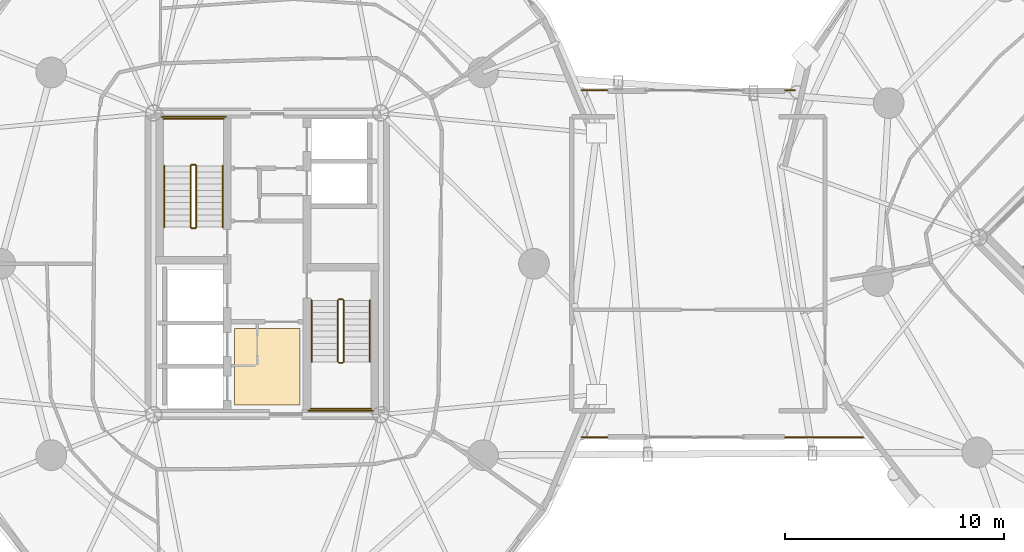
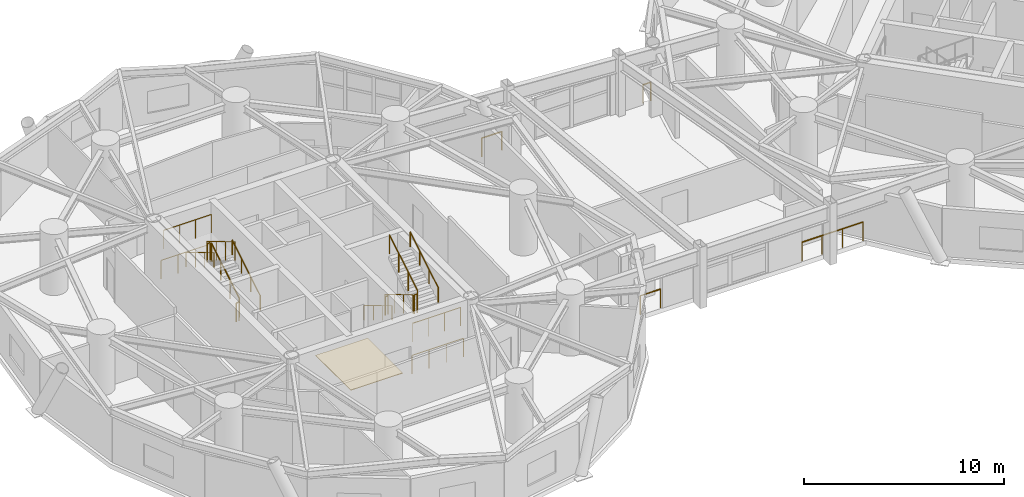
# One storey, part 19 of 20: 20 railings, 1 covering.
"""IFC4 building model written with IfcOpenShell, lengths in metres."""

from ifc_helpers import new_model, si_unit, direction, frame, origin, origin_2d, place, context, subcontext, project, spatial, polyline, circle, outline, extrude, material, layer, layer_set, type_object, element, save


model = new_model("IFC4")

# Units and contexts
model_context = context("Model", 3, precision=1e-05, world=origin(), true_north=direction((0.0, 1.0)))
body_context = subcontext(model_context, "Body", "Model", "MODEL_VIEW")
ifc_project = project(units=[si_unit("LENGTHUNIT", "METRE"), si_unit("AREAUNIT", "SQUARE_METRE"), si_unit("VOLUMEUNIT", "CUBIC_METRE"), si_unit("PLANEANGLEUNIT", "RADIAN"), si_unit("MASSUNIT", "GRAM", prefix="KILO")], contexts=[model_context])

# Site, building, storey
site_placement = place(None, origin())
site = spatial("IfcSite", under=ifc_project, at=site_placement, CompositionType="ELEMENT")
building_placement = place(site_placement, origin())
building = spatial("IfcBuilding", under=site, at=building_placement, Name="Cununo Teusaquillo Station Towers", CompositionType="ELEMENT")
storey_placement = place(building_placement, frame((0.0, 0.0, 129.159912109375)))
storey = spatial("IfcBuildingStorey", under=building, at=storey_placement, Name="L41", CompositionType="ELEMENT", Elevation=129.159912109375)

# Covering
ifc_material_1 = material(Name="Polished basalt-chip terrazzo floor finish", Category="masonry")
ifc_layer = layer(ifc_material_1, 0.034912109375)
ifc_layer_set = layer_set([ifc_layer], Name="Polished basalt-chip terrazzo floor finish")
covering_type = type_object("IfcCoveringType", Name="COV-FLR-TERR", PredefinedType="FLOORING", material=ifc_layer_set)
covering_placement = place(storey_placement, origin())
element("IfcCovering", 1, at=covering_placement, inside=storey, type_object=covering_type, Name="L41 Polished Terrazzo Floor Finish", PredefinedType="FLOORING", context=body_context, shape_type="SweptSolid", body=[
    extrude(outline(polyline([(15.0, 18.050048828125), (18.0, 18.050048828125), (18.0, 21.550048828125), (15.0, 21.550048828125), (15.0, 18.050048828125)])), origin(), (0.0, 0.0, 1.0), 0.03515625),
])

# Railings
ifc_material_2 = material(Name="Steel EN 10025-2 S355J2", Category="steel")
railing_type_1 = type_object("IfcRailingType", Name="RL-INT-GUARD", PredefinedType="GUARDRAIL", material=ifc_material_2)
railing_1_placement = place(storey_placement, frame((13.27001953125, 26.169921875, 0.169189453125)))
element("IfcRailing", 2, at=railing_1_placement, inside=storey, type_object=railing_type_1, Name="L41 ST-T1-1 stair guard 1", PredefinedType="GUARDRAIL", context=body_context, shape_type="SweptSolid", body=[
    extrude(circle(Radius=0.02392578125, at=origin_2d()), frame((0.0, 0.0, 1.1259765625), z_axis=(0.0, 0.856020824003, 0.516941339877), x_axis=(-1.0, 0.0, 0.0)), (0.0, 0.0, 1.0), 3.27099609375),
    extrude(circle(Radius=0.02099609375, at=origin_2d()), origin(), (0.0, 0.0, 1.0), 1.101806640625),
    extrude(circle(Radius=0.02099609375, at=origin_2d()), frame((0.0, 0.933349609375, 0.563720703125)), (0.0, 0.0, 1.0), 1.101806640625),
    extrude(circle(Radius=0.02099609375, at=origin_2d()), frame((0.0, 1.86669921875, 1.127197265625)), (0.0, 0.0, 1.0), 1.101806640625),
    extrude(circle(Radius=0.02099609375, at=origin_2d()), frame((0.0, 2.800048828125, 1.69091796875)), (0.0, 0.0, 1.0), 1.101806640625),
])
railing_2_placement = place(storey_placement, frame((13.219970703125, 29.02001953125, 1.860107421875)))
element("IfcRailing", 3, at=railing_2_placement, inside=storey, type_object=railing_type_1, Name="L41 ST-T1-1 stair guard 2", PredefinedType="GUARDRAIL", context=body_context, shape_type="SweptSolid", body=[
    extrude(circle(Radius=0.02392578125, at=origin_2d()), frame((0.0, 0.0, 1.1259765625), z_axis=(-1.0, 0.0, 0.0), x_axis=(0.0, -1.0, 0.0)), (0.0, 0.0, 1.0), 0.159912109375),
    extrude(circle(Radius=0.02099609375, at=origin_2d()), origin(), (0.0, 0.0, 1.0), 1.101806640625),
    extrude(circle(Radius=0.02099609375, at=origin_2d()), frame((-0.159912109375, 0.0, 0.0)), (0.0, 0.0, 1.0), 1.101806640625),
])
railing_3_placement = place(storey_placement, frame((14.52001953125, 31.110107421875, 1.860107421875)))
element("IfcRailing", 4, at=railing_3_placement, inside=storey, type_object=railing_type_1, Name="L41 ST-T1-1 stair guard 3", PredefinedType="GUARDRAIL", context=body_context, shape_type="SweptSolid", body=[
    extrude(circle(Radius=0.02392578125, at=origin_2d()), frame((0.0, 0.0, 1.1259765625), z_axis=(-1.0, 0.0, 0.0), x_axis=(0.0, -1.0, 0.0)), (0.0, 0.0, 1.0), 2.760009765625),
    extrude(circle(Radius=0.02099609375, at=origin_2d()), origin(), (0.0, 0.0, 1.0), 1.101806640625),
    extrude(circle(Radius=0.02099609375, at=origin_2d()), frame((-0.919921875, 0.0, 0.0)), (0.0, 0.0, 1.0), 1.101806640625),
    extrude(circle(Radius=0.02099609375, at=origin_2d()), frame((-1.840087890625, 0.0, 0.0)), (0.0, 0.0, 1.0), 1.101806640625),
    extrude(circle(Radius=0.02099609375, at=origin_2d()), frame((-2.760009765625, 0.0, 0.0)), (0.0, 0.0, 1.0), 1.101806640625),
])
railing_4_placement = place(storey_placement, frame((13.010009765625, 28.969970703125, 2.029296875)))
element("IfcRailing", 5, at=railing_4_placement, inside=storey, type_object=railing_type_1, Name="L41 ST-T1-1 stair guard 4", PredefinedType="GUARDRAIL", context=body_context, shape_type="SweptSolid", body=[
    extrude(circle(Radius=0.02392578125, at=origin_2d()), frame((0.0, 0.0, 1.1259765625), z_axis=(0.0, -0.856053851689, 0.516886644254), x_axis=(1.0, 0.0, 0.0)), (0.0, 0.0, 1.0), 3.27099609375),
    extrude(circle(Radius=0.02099609375, at=origin_2d()), origin(), (0.0, 0.0, 1.0), 1.101806640625),
    extrude(circle(Radius=0.02099609375, at=origin_2d()), frame((0.0, -0.933349609375, 0.5634765625)), (0.0, 0.0, 1.0), 1.101806640625),
    extrude(circle(Radius=0.02099609375, at=origin_2d()), frame((0.0, -1.86669921875, 1.127197265625)), (0.0, 0.0, 1.0), 1.101806640625),
    extrude(circle(Radius=0.02099609375, at=origin_2d()), frame((0.0, -2.800048828125, 1.690673828125)), (0.0, 0.0, 1.0), 1.101806640625),
])
railing_5_placement = place(storey_placement, frame((13.219970703125, 26.1201171875, 0.0)))
element("IfcRailing", 6, at=railing_5_placement, inside=storey, type_object=railing_type_1, Name="L41 ST-T1-1 stair guard 5", PredefinedType="GUARDRAIL", context=body_context, shape_type="SweptSolid", body=[
    extrude(circle(Radius=0.02392578125, at=origin_2d()), frame((0.0, 0.0, 1.1259765625), z_axis=(-1.0, 0.0, 0.0), x_axis=(0.0, -1.0, 0.0)), (0.0, 0.0, 1.0), 0.159912109375),
    extrude(circle(Radius=0.02099609375, at=origin_2d()), origin(), (0.0, 0.0, 1.0), 1.101806640625),
    extrude(circle(Radius=0.02099609375, at=origin_2d()), frame((-0.159912109375, 0.0, 0.0)), (0.0, 0.0, 1.0), 1.101806640625),
])
railing_6_placement = place(storey_placement, frame((14.6201171875, 31.2099609375, 0.0)))
element("IfcRailing", 7, at=railing_6_placement, inside=storey, type_object=railing_type_1, Name="L41 ST-T1-1 stair guard 6", PredefinedType="GUARDRAIL", context=body_context, shape_type="SweptSolid", body=[
    extrude(circle(Radius=0.02392578125, at=origin_2d()), frame((0.0, 0.0, 1.1259765625), z_axis=(-1.0, 0.0, 0.0), x_axis=(0.0, -1.0, 0.0)), (0.0, 0.0, 1.0), 2.960205078125),
    extrude(circle(Radius=0.02099609375, at=origin_2d()), origin(), (0.0, 0.0, 1.0), 1.101806640625),
    extrude(circle(Radius=0.02099609375, at=origin_2d()), frame((-0.98681640625, 0.0, 0.0)), (0.0, 0.0, 1.0), 1.101806640625),
    extrude(circle(Radius=0.02099609375, at=origin_2d()), frame((-1.973388671875, 0.0, 0.0)), (0.0, 0.0, 1.0), 1.101806640625),
    extrude(circle(Radius=0.02099609375, at=origin_2d()), frame((-2.960205078125, 0.0, 0.0)), (0.0, 0.0, 1.0), 1.101806640625),
])
railing_7_placement = place(storey_placement, frame((19.72998046875, 22.830078125, 0.169189453125)))
element("IfcRailing", 8, at=railing_7_placement, inside=storey, type_object=railing_type_1, Name="L41 ST-T1-2 stair guard 1", PredefinedType="GUARDRAIL", context=body_context, shape_type="SweptSolid", body=[
    extrude(circle(Radius=0.02392578125, at=origin_2d()), frame((0.0, 0.0, 1.1259765625), z_axis=(0.0, -0.856020824003, 0.516941339877), x_axis=(1.0, 0.0, 0.0)), (0.0, 0.0, 1.0), 3.27099609375),
    extrude(circle(Radius=0.02099609375, at=origin_2d()), origin(), (0.0, 0.0, 1.0), 1.101806640625),
    extrude(circle(Radius=0.02099609375, at=origin_2d()), frame((0.0, -0.933349609375, 0.563720703125)), (0.0, 0.0, 1.0), 1.101806640625),
    extrude(circle(Radius=0.02099609375, at=origin_2d()), frame((0.0, -1.86669921875, 1.127197265625)), (0.0, 0.0, 1.0), 1.101806640625),
    extrude(circle(Radius=0.02099609375, at=origin_2d()), frame((0.0, -2.800048828125, 1.69091796875)), (0.0, 0.0, 1.0), 1.101806640625),
])
railing_8_placement = place(storey_placement, frame((19.780029296875, 19.97998046875, 1.860107421875)))
element("IfcRailing", 9, at=railing_8_placement, inside=storey, type_object=railing_type_1, Name="L41 ST-T1-2 stair guard 2", PredefinedType="GUARDRAIL", context=body_context, shape_type="SweptSolid", body=[
    extrude(circle(Radius=0.02392578125, at=origin_2d()), frame((0.0, 0.0, 1.1259765625), z_axis=(1.0, 0.0, 0.0), x_axis=(0.0, 1.0, 0.0)), (0.0, 0.0, 1.0), 0.159912109375),
    extrude(circle(Radius=0.02099609375, at=origin_2d()), origin(), (0.0, 0.0, 1.0), 1.101806640625),
    extrude(circle(Radius=0.02099609375, at=origin_2d()), frame((0.159912109375, 0.0, 0.0)), (0.0, 0.0, 1.0), 1.101806640625),
])
railing_9_placement = place(storey_placement, frame((18.47998046875, 17.889892578125, 1.860107421875)))
element("IfcRailing", 10, at=railing_9_placement, inside=storey, type_object=railing_type_1, Name="L41 ST-T1-2 stair guard 3", PredefinedType="GUARDRAIL", context=body_context, shape_type="SweptSolid", body=[
    extrude(circle(Radius=0.02392578125, at=origin_2d()), frame((0.0, 0.0, 1.1259765625), z_axis=(1.0, 0.0, 0.0), x_axis=(0.0, 1.0, 0.0)), (0.0, 0.0, 1.0), 2.760009765625),
    extrude(circle(Radius=0.02099609375, at=origin_2d()), origin(), (0.0, 0.0, 1.0), 1.101806640625),
    extrude(circle(Radius=0.02099609375, at=origin_2d()), frame((0.919921875, 0.0, 0.0)), (0.0, 0.0, 1.0), 1.101806640625),
    extrude(circle(Radius=0.02099609375, at=origin_2d()), frame((1.840087890625, 0.0, 0.0)), (0.0, 0.0, 1.0), 1.101806640625),
    extrude(circle(Radius=0.02099609375, at=origin_2d()), frame((2.760009765625, 0.0, 0.0)), (0.0, 0.0, 1.0), 1.101806640625),
])
railing_10_placement = place(storey_placement, frame((19.989990234375, 20.030029296875, 2.029296875)))
element("IfcRailing", 11, at=railing_10_placement, inside=storey, type_object=railing_type_1, Name="L41 ST-T1-2 stair guard 4", PredefinedType="GUARDRAIL", context=body_context, shape_type="SweptSolid", body=[
    extrude(circle(Radius=0.02392578125, at=origin_2d()), frame((0.0, 0.0, 1.1259765625), z_axis=(0.0, 0.856053851689, 0.516886644254), x_axis=(-1.0, 0.0, 0.0)), (0.0, 0.0, 1.0), 3.27099609375),
    extrude(circle(Radius=0.02099609375, at=origin_2d()), origin(), (0.0, 0.0, 1.0), 1.101806640625),
    extrude(circle(Radius=0.02099609375, at=origin_2d()), frame((0.0, 0.933349609375, 0.5634765625)), (0.0, 0.0, 1.0), 1.101806640625),
    extrude(circle(Radius=0.02099609375, at=origin_2d()), frame((0.0, 1.86669921875, 1.127197265625)), (0.0, 0.0, 1.0), 1.101806640625),
    extrude(circle(Radius=0.02099609375, at=origin_2d()), frame((0.0, 2.800048828125, 1.690673828125)), (0.0, 0.0, 1.0), 1.101806640625),
])
railing_11_placement = place(storey_placement, frame((19.780029296875, 22.8798828125, 0.0)))
element("IfcRailing", 12, at=railing_11_placement, inside=storey, type_object=railing_type_1, Name="L41 ST-T1-2 stair guard 5", PredefinedType="GUARDRAIL", context=body_context, shape_type="SweptSolid", body=[
    extrude(circle(Radius=0.02392578125, at=origin_2d()), frame((0.0, 0.0, 1.1259765625), z_axis=(1.0, 0.0, 0.0), x_axis=(0.0, 1.0, 0.0)), (0.0, 0.0, 1.0), 0.159912109375),
    extrude(circle(Radius=0.02099609375, at=origin_2d()), origin(), (0.0, 0.0, 1.0), 1.101806640625),
    extrude(circle(Radius=0.02099609375, at=origin_2d()), frame((0.159912109375, 0.0, 0.0)), (0.0, 0.0, 1.0), 1.101806640625),
])
railing_12_placement = place(storey_placement, frame((18.3798828125, 17.7900390625, 0.0)))
element("IfcRailing", 13, at=railing_12_placement, inside=storey, type_object=railing_type_1, Name="L41 ST-T1-2 stair guard 6", PredefinedType="GUARDRAIL", context=body_context, shape_type="SweptSolid", body=[
    extrude(circle(Radius=0.02392578125, at=origin_2d()), frame((0.0, 0.0, 1.1259765625), z_axis=(1.0, 0.0, 0.0), x_axis=(0.0, 1.0, 0.0)), (0.0, 0.0, 1.0), 2.960205078125),
    extrude(circle(Radius=0.02099609375, at=origin_2d()), origin(), (0.0, 0.0, 1.0), 1.101806640625),
    extrude(circle(Radius=0.02099609375, at=origin_2d()), frame((0.98681640625, 0.0, 0.0)), (0.0, 0.0, 1.0), 1.101806640625),
    extrude(circle(Radius=0.02099609375, at=origin_2d()), frame((1.973388671875, 0.0, 0.0)), (0.0, 0.0, 1.0), 1.101806640625),
    extrude(circle(Radius=0.02099609375, at=origin_2d()), frame((2.960205078125, 0.0, 0.0)), (0.0, 0.0, 1.0), 1.101806640625),
])
railing_13_placement = place(storey_placement, frame((30.840087890625, 32.419921875, 0.0)))
element("IfcRailing", 14, at=railing_13_placement, inside=storey, type_object=railing_type_1, Name="L41 Mid-Bridge Deck Edge Guardrail NW", PredefinedType="GUARDRAIL", context=body_context, shape_type="SweptSolid", body=[
    extrude(circle(Radius=0.02392578125, at=origin_2d()), frame((0.0, 0.0, 1.1259765625), z_axis=(1.0, 0.0, 0.0), x_axis=(0.0, 1.0, 0.0)), (0.0, 0.0, 1.0), 1.169921875),
    extrude(circle(Radius=0.02099609375, at=origin_2d()), origin(), (0.0, 0.0, 1.0), 1.101806640625),
    extrude(circle(Radius=0.02099609375, at=origin_2d()), frame((1.169921875, 0.0, 0.0)), (0.0, 0.0, 1.0), 1.101806640625),
])
railing_14_placement = place(storey_placement, frame((40.139892578125, 32.419921875, 0.0)))
element("IfcRailing", 15, at=railing_14_placement, inside=storey, type_object=railing_type_1, Name="L41 Mid-Bridge Deck Edge Guardrail NE", PredefinedType="GUARDRAIL", context=body_context, shape_type="SweptSolid", body=[
    extrude(circle(Radius=0.02392578125, at=origin_2d()), frame((0.0, 0.0, 1.1259765625), z_axis=(1.0, 0.0, 0.0), x_axis=(0.0, 1.0, 0.0)), (0.0, 0.0, 1.0), 0.440185546875),
    extrude(circle(Radius=0.02099609375, at=origin_2d()), origin(), (0.0, 0.0, 1.0), 1.101806640625),
    extrude(circle(Radius=0.02099609375, at=origin_2d()), frame((0.440185546875, 0.0, 0.0)), (0.0, 0.0, 1.0), 1.101806640625),
])
railing_15_placement = place(storey_placement, frame((30.840087890625, 16.580078125, 0.0)))
element("IfcRailing", 16, at=railing_15_placement, inside=storey, type_object=railing_type_1, Name="L41 Mid-Bridge Deck Edge Guardrail SW", PredefinedType="GUARDRAIL", context=body_context, shape_type="SweptSolid", body=[
    extrude(circle(Radius=0.02392578125, at=origin_2d()), frame((0.0, 0.0, 1.1259765625), z_axis=(1.0, 0.0, 0.0), x_axis=(0.0, 1.0, 0.0)), (0.0, 0.0, 1.0), 1.169921875),
    extrude(circle(Radius=0.02099609375, at=origin_2d()), origin(), (0.0, 0.0, 1.0), 1.101806640625),
    extrude(circle(Radius=0.02099609375, at=origin_2d()), frame((1.169921875, 0.0, 0.0)), (0.0, 0.0, 1.0), 1.101806640625),
])
railing_16_placement = place(storey_placement, frame((40.139892578125, 16.580078125, 0.0)))
element("IfcRailing", 17, at=railing_16_placement, inside=storey, type_object=railing_type_1, Name="L41 Mid-Bridge Deck Edge Guardrail SE", PredefinedType="GUARDRAIL", context=body_context, shape_type="SweptSolid", body=[
    extrude(circle(Radius=0.02392578125, at=origin_2d()), frame((0.0, 0.0, 1.1259765625), z_axis=(1.0, 0.0, 0.0), x_axis=(0.0, 1.0, 0.0)), (0.0, 0.0, 1.0), 3.5400390625),
    extrude(circle(Radius=0.02099609375, at=origin_2d()), origin(), (0.0, 0.0, 1.0), 1.101806640625),
    extrude(circle(Radius=0.02099609375, at=origin_2d()), frame((1.179931640625, 0.0, 0.0)), (0.0, 0.0, 1.0), 1.101806640625),
    extrude(circle(Radius=0.02099609375, at=origin_2d()), frame((2.360107421875, 0.0, 0.0)), (0.0, 0.0, 1.0), 1.101806640625),
    extrude(circle(Radius=0.02099609375, at=origin_2d()), frame((3.5400390625, 0.0, 0.0)), (0.0, 0.0, 1.0), 1.101806640625),
])
ifc_material_3 = material(Name="Steel EN 10025-2 S355J2", Category="steel")
railing_type_2 = type_object("IfcRailingType", Name="RL-INT-HRAIL", PredefinedType="HANDRAIL", material=ifc_material_3)
railing_17_placement = place(storey_placement, frame((14.469970703125, 26.169921875, 0.169189453125)))
element("IfcRailing", 18, at=railing_17_placement, inside=storey, type_object=railing_type_2, Name="L41 ST-T1-1 stair handrail 1", PredefinedType="HANDRAIL", context=body_context, shape_type="SweptSolid", body=[
    extrude(circle(Radius=0.02392578125, at=origin_2d()), frame((0.0, 0.0, 0.8759765625), z_axis=(0.0, 0.856020824003, 0.516941339877), x_axis=(-1.0, 0.0, 0.0)), (0.0, 0.0, 1.0), 3.27099609375),
    extrude(circle(Radius=0.02099609375, at=origin_2d()), origin(), (0.0, 0.0, 1.0), 0.851806640625),
    extrude(circle(Radius=0.02099609375, at=origin_2d()), frame((0.0, 0.933349609375, 0.563720703125)), (0.0, 0.0, 1.0), 0.851806640625),
    extrude(circle(Radius=0.02099609375, at=origin_2d()), frame((0.0, 1.86669921875, 1.127197265625)), (0.0, 0.0, 1.0), 0.851806640625),
    extrude(circle(Radius=0.02099609375, at=origin_2d()), frame((0.0, 2.800048828125, 1.69091796875)), (0.0, 0.0, 1.0), 0.851806640625),
])
railing_18_placement = place(storey_placement, frame((11.81005859375, 28.969970703125, 2.029296875)))
element("IfcRailing", 19, at=railing_18_placement, inside=storey, type_object=railing_type_2, Name="L41 ST-T1-1 stair handrail 2", PredefinedType="HANDRAIL", context=body_context, shape_type="SweptSolid", body=[
    extrude(circle(Radius=0.02392578125, at=origin_2d()), frame((0.0, 0.0, 0.8759765625), z_axis=(0.0, -0.856053851689, 0.516886644254), x_axis=(1.0, 0.0, 0.0)), (0.0, 0.0, 1.0), 3.27099609375),
    extrude(circle(Radius=0.02099609375, at=origin_2d()), origin(), (0.0, 0.0, 1.0), 0.851806640625),
    extrude(circle(Radius=0.02099609375, at=origin_2d()), frame((0.0, -0.933349609375, 0.5634765625)), (0.0, 0.0, 1.0), 0.851806640625),
    extrude(circle(Radius=0.02099609375, at=origin_2d()), frame((0.0, -1.86669921875, 1.127197265625)), (0.0, 0.0, 1.0), 0.851806640625),
    extrude(circle(Radius=0.02099609375, at=origin_2d()), frame((0.0, -2.800048828125, 1.690673828125)), (0.0, 0.0, 1.0), 0.851806640625),
])
railing_19_placement = place(storey_placement, frame((18.530029296875, 22.830078125, 0.169189453125)))
element("IfcRailing", 20, at=railing_19_placement, inside=storey, type_object=railing_type_2, Name="L41 ST-T1-2 stair handrail 1", PredefinedType="HANDRAIL", context=body_context, shape_type="SweptSolid", body=[
    extrude(circle(Radius=0.02392578125, at=origin_2d()), frame((0.0, 0.0, 0.8759765625), z_axis=(0.0, -0.856020824003, 0.516941339877), x_axis=(1.0, 0.0, 0.0)), (0.0, 0.0, 1.0), 3.27099609375),
    extrude(circle(Radius=0.02099609375, at=origin_2d()), origin(), (0.0, 0.0, 1.0), 0.851806640625),
    extrude(circle(Radius=0.02099609375, at=origin_2d()), frame((0.0, -0.933349609375, 0.563720703125)), (0.0, 0.0, 1.0), 0.851806640625),
    extrude(circle(Radius=0.02099609375, at=origin_2d()), frame((0.0, -1.86669921875, 1.127197265625)), (0.0, 0.0, 1.0), 0.851806640625),
    extrude(circle(Radius=0.02099609375, at=origin_2d()), frame((0.0, -2.800048828125, 1.69091796875)), (0.0, 0.0, 1.0), 0.851806640625),
])
railing_20_placement = place(storey_placement, frame((21.18994140625, 20.030029296875, 2.029296875)))
element("IfcRailing", 21, at=railing_20_placement, inside=storey, type_object=railing_type_2, Name="L41 ST-T1-2 stair handrail 2", PredefinedType="HANDRAIL", context=body_context, shape_type="SweptSolid", body=[
    extrude(circle(Radius=0.02392578125, at=origin_2d()), frame((0.0, 0.0, 0.8759765625), z_axis=(0.0, 0.856053851689, 0.516886644254), x_axis=(-1.0, 0.0, 0.0)), (0.0, 0.0, 1.0), 3.27099609375),
    extrude(circle(Radius=0.02099609375, at=origin_2d()), origin(), (0.0, 0.0, 1.0), 0.851806640625),
    extrude(circle(Radius=0.02099609375, at=origin_2d()), frame((0.0, 0.933349609375, 0.5634765625)), (0.0, 0.0, 1.0), 0.851806640625),
    extrude(circle(Radius=0.02099609375, at=origin_2d()), frame((0.0, 1.86669921875, 1.127197265625)), (0.0, 0.0, 1.0), 0.851806640625),
    extrude(circle(Radius=0.02099609375, at=origin_2d()), frame((0.0, 2.800048828125, 1.690673828125)), (0.0, 0.0, 1.0), 0.851806640625),
])

save(model, "model.ifc")
